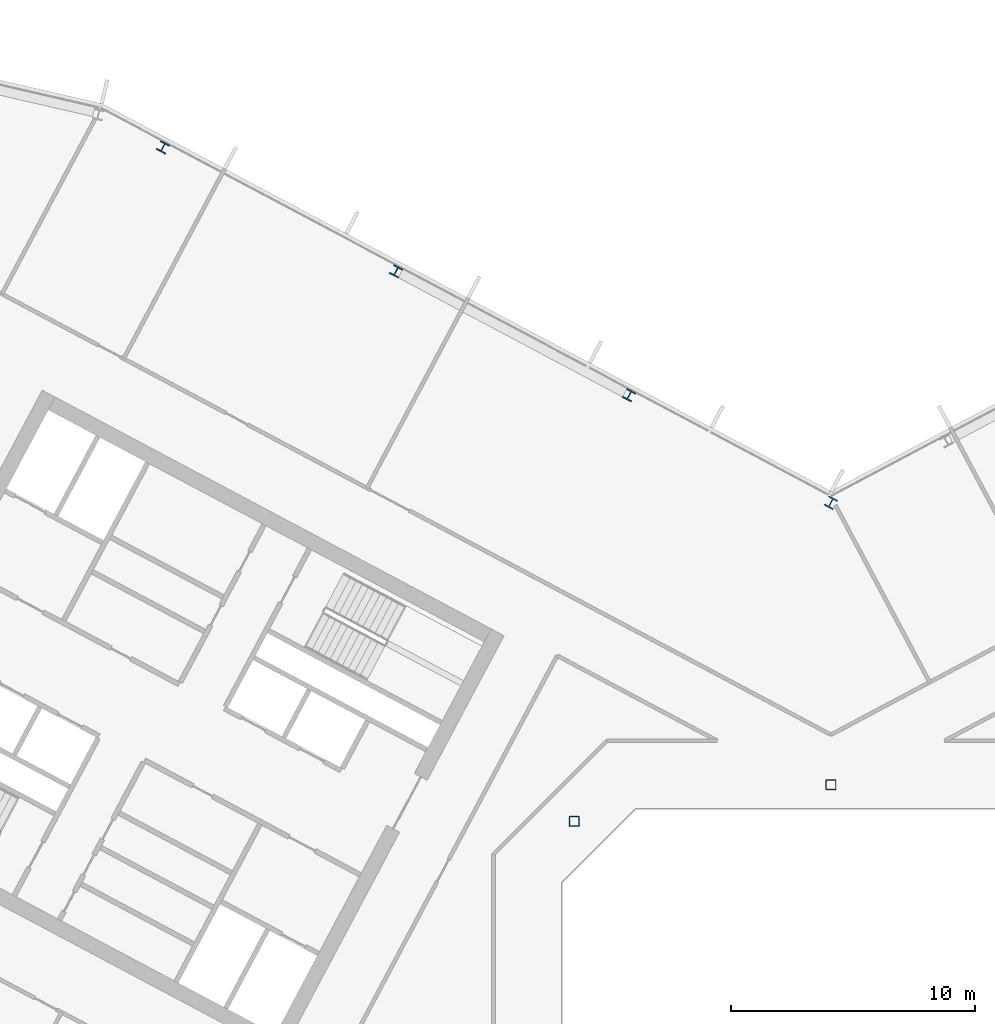
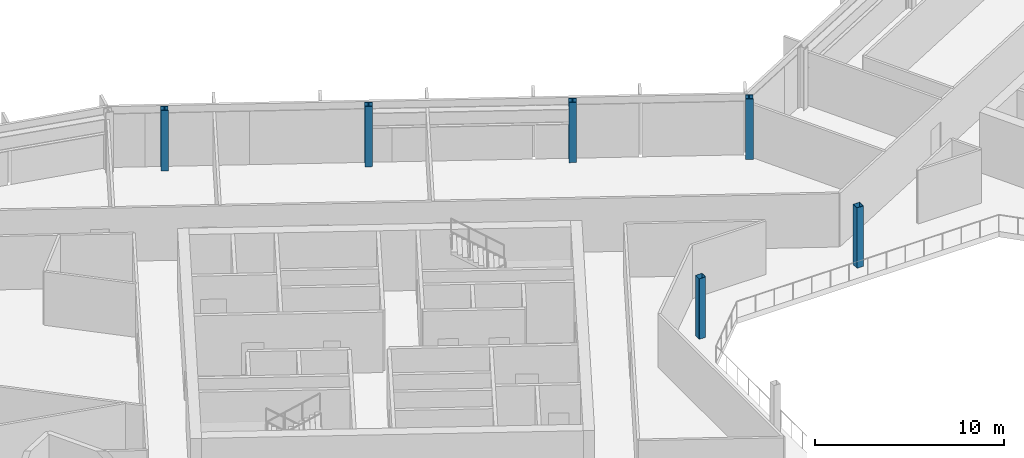
# One storey, part 4 of 26: 6 columns.
"""IFC4 building model written with IfcOpenShell, lengths in metres."""

from ifc_helpers import new_model, si_unit, direction, frame, origin, origin_2d, place, context, subcontext, project, spatial, hollow_rectangle, i_section, extrude, material, material_profile, profile_set, type_object, element, save


model = new_model("IFC4")

# Units and contexts
model_context = context("Model", 3, precision=1e-05, world=origin(), true_north=direction((0.0, 1.0)))
body_context = subcontext(model_context, "Body", "Model", "MODEL_VIEW")
ifc_project = project(units=[si_unit("LENGTHUNIT", "METRE"), si_unit("AREAUNIT", "SQUARE_METRE"), si_unit("VOLUMEUNIT", "CUBIC_METRE"), si_unit("PLANEANGLEUNIT", "RADIAN"), si_unit("MASSUNIT", "GRAM", prefix="KILO")], contexts=[model_context])

# Site, building, storey
site_placement = place(None, origin())
site = spatial("IfcSite", under=ifc_project, at=site_placement, CompositionType="ELEMENT")
building_placement = place(site_placement, origin())
building = spatial("IfcBuilding", under=site, at=building_placement, Name="Cormorant Relay Tower", CompositionType="ELEMENT")
storey_placement = place(building_placement, frame((0.0, 0.0, 248.10009765625)))
storey = spatial("IfcBuildingStorey", under=building, at=storey_placement, Name="L55", CompositionType="ELEMENT", Elevation=248.10009765625)

# Columns
ifc_material_1 = material(Name="Steel ASTM A500 Grade C (Fy 345 MPa)", Category="steel")
ifc_material_profile_1 = material_profile(ifc_material_1, hollow_rectangle(XDim=0.406494140625, YDim=0.406494140625, WallThickness=0.0146484375, InnerFilletRadius=0.00732421875, OuterFilletRadius=0.022216796875, at=origin_2d()), Name="HSS406x406x15")
ifc_profile_set_1 = profile_set([ifc_material_profile_1], Name="Steel ASTM A500 Grade C (Fy 345 MPa)")
column_type_1 = type_object("IfcColumnType", Name="Column HSS406x406x15", PredefinedType="COLUMN", material=ifc_profile_set_1)
for number, where, z_axis, x_axis, name in (
    (1, (-10.5, 10.5, 0.0), (0.0, 0.0, 1.0), (1.0, 0.0, 0.0), "Column L55-023"),
    (2, (0.0, 12.0, 0.0), (0.0, 0.0, 1.0), (1.0, 0.0, 0.0), "Column L55-025"),
):
    element("IfcColumn", number, at=place(storey_placement, frame(where, z_axis=z_axis, x_axis=x_axis)), inside=storey, type_object=column_type_1, Name=name, PredefinedType="COLUMN", context=body_context, shape_type="SweptSolid", body=[
        extrude(hollow_rectangle(XDim=0.406494140625, YDim=0.406494140625, WallThickness=0.0146484375, InnerFilletRadius=0.00732421875, OuterFilletRadius=0.022216796875, at=origin_2d()), origin(), (0.0, 0.0, 1.0), 3.89990234375),
    ])
ifc_material_2 = material(Name="Steel ASTM A992 (Fy 345 MPa)", Category="steel")
ifc_material_profile_2 = material_profile(ifc_material_2, i_section(OverallWidth=0.40380859375, OverallDepth=0.406494140625, WebThickness=0.027099609375, FlangeThickness=0.043701171875, FilletRadius=0.01513671875, at=origin_2d()), Name="W360x347")
ifc_profile_set_2 = profile_set([ifc_material_profile_2], Name="Steel ASTM A992 (Fy 345 MPa)")
column_type_2 = type_object("IfcColumnType", Name="Column W360x347", PredefinedType="COLUMN", material=ifc_profile_set_2)
for number, where, z_axis, x_axis, name in (
    (3, (-8.251953125, 27.93408203125, 0.0), (0.0, 0.0, 1.0), (-0.882947592859, 0.469471562786, 0.0), "Column L55-033"),
    (4, (-17.7880859375, 33.00390625, 0.0), (0.0, 0.0, 1.0), (-0.882947592859, 0.469471562786, 0.0), "Column L55-037"),
    (5, (-27.322998046875, 38.073974609375, 0.0), (0.0, 0.0, 1.0), (-0.882947592859, 0.469471562786, 0.0), "Column L55-040"),
):
    element("IfcColumn", number, at=place(storey_placement, frame(where, z_axis=z_axis, x_axis=x_axis)), inside=storey, type_object=column_type_2, Name=name, PredefinedType="COLUMN", context=body_context, shape_type="SweptSolid", body=[
        extrude(i_section(OverallWidth=0.40380859375, OverallDepth=0.406494140625, WebThickness=0.027099609375, FlangeThickness=0.043701171875, FilletRadius=0.01513671875, at=origin_2d()), origin(), (0.0, 0.0, 1.0), 3.89990234375),
    ])
ifc_material_3 = material(Name="Steel ASTM A992 (Fy 345 MPa)", Category="steel")
ifc_material_profile_3 = material_profile(ifc_material_3, i_section(OverallWidth=0.41162109375, OverallDepth=0.434326171875, WebThickness=0.035888671875, FlangeThickness=0.057373046875, FilletRadius=0.01513671875, at=origin_2d()), Name="W360x463")
ifc_profile_set_3 = profile_set([ifc_material_profile_3], Name="Steel ASTM A992 (Fy 345 MPa)")
column_type_3 = type_object("IfcColumnType", Name="Column W360x463", PredefinedType="COLUMN", material=ifc_profile_set_3)
column_placement = place(storey_placement, frame((0.0, 23.533935546875, 0.0), z_axis=(0.0, 0.0, 1.0), x_axis=(-0.882947592859, 0.469471562786, 0.0)))
element("IfcColumn", 6, at=column_placement, inside=storey, type_object=column_type_3, Name="Column L55-030", PredefinedType="COLUMN", context=body_context, shape_type="SweptSolid", body=[
    extrude(i_section(OverallWidth=0.41162109375, OverallDepth=0.434326171875, WebThickness=0.035888671875, FlangeThickness=0.057373046875, FilletRadius=0.01513671875, at=origin_2d()), origin(), (0.0, 0.0, 1.0), 3.89990234375),
])

save(model, "model.ifc")
